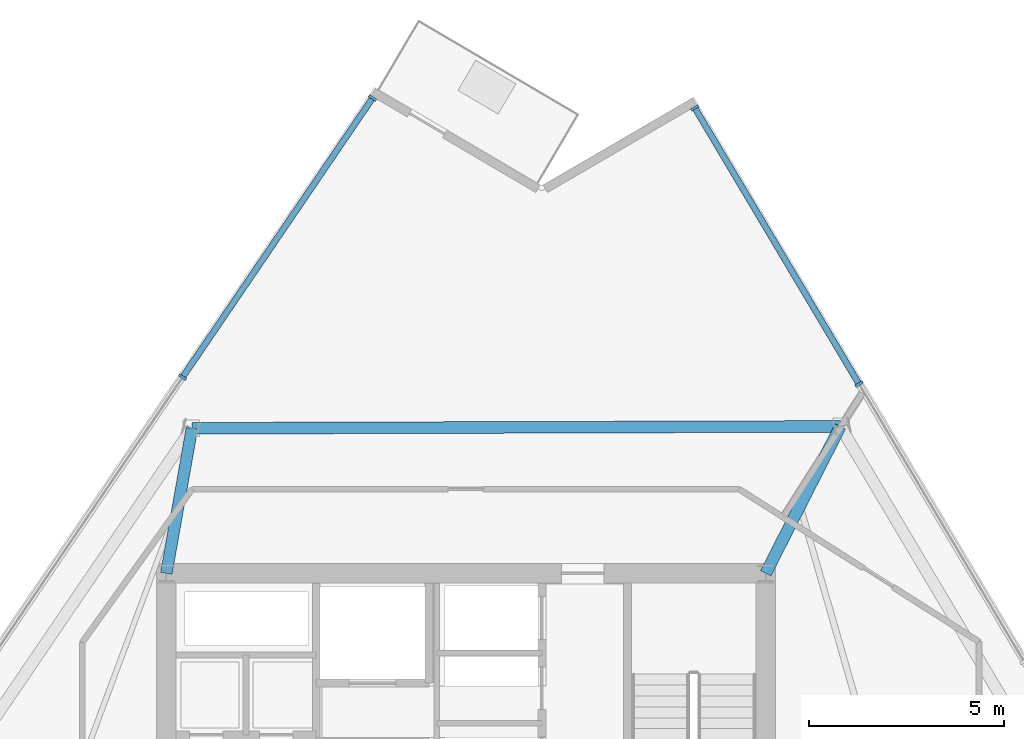
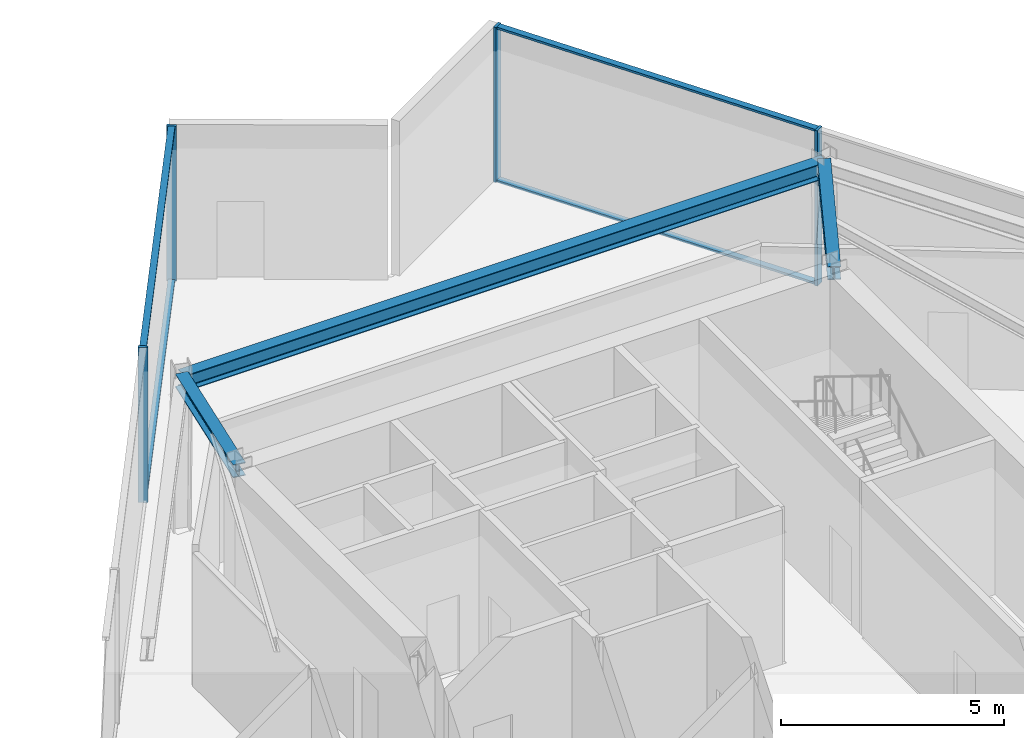
# One storey, part 5 of 14: 8 members, 3 beams, 2 elements without a shape of their own.
"""IFC4 building model written with IfcOpenShell, lengths in metres."""

from ifc_helpers import new_model, si_unit, direction, frame, origin, origin_2d, place, context, subcontext, project, spatial, rectangle, i_section, extrude, material, material_profile, profile_set, type_object, element, aggregate, save


model = new_model("IFC4")

# Units and contexts
model_context = context("Model", 3, precision=1e-05, world=origin(), true_north=direction((0.0, 1.0)))
body_context = subcontext(model_context, "Body", "Model", "MODEL_VIEW")
ifc_project = project(units=[si_unit("LENGTHUNIT", "METRE"), si_unit("AREAUNIT", "SQUARE_METRE"), si_unit("VOLUMEUNIT", "CUBIC_METRE"), si_unit("PLANEANGLEUNIT", "RADIAN"), si_unit("MASSUNIT", "GRAM", prefix="KILO")], contexts=[model_context])

# Site, building, storey
site_placement = place(None, origin())
site = spatial("IfcSite", under=ifc_project, at=site_placement, CompositionType="ELEMENT")
building_placement = place(site_placement, origin())
building = spatial("IfcBuilding", under=site, at=building_placement, Name="Savorim Split Tower", CompositionType="ELEMENT")
storey_placement = place(building_placement, frame((0.0, 0.0, 134.10009765625)))
storey = spatial("IfcBuildingStorey", under=building, at=storey_placement, Name="L35", CompositionType="ELEMENT", Elevation=134.10009765625)

# Beams
ifc_material_1 = material(Name="Steel S355", Category="steel")
ifc_material_profile_1 = material_profile(ifc_material_1, i_section(OverallWidth=0.300048828125, OverallDepth=0.360107421875, WebThickness=0.012451171875, FlangeThickness=0.0224609375, FilletRadius=0.027099609375, at=origin_2d()), Name="HEB 360")
ifc_profile_set_1 = profile_set([ifc_material_profile_1], Name="Steel S355")
beam_type_1 = type_object("IfcBeamType", Name="BM-PRI-HEB360", PredefinedType="BEAM", material=ifc_profile_set_1)
beam_1_placement = place(storey_placement, frame((9.6181640625, 13.975830078125, 4.06982421875), z_axis=(-0.452922916926, -0.891549679672, 0.0), x_axis=(0.891549679672, -0.452922916926, 0.0)))
element("IfcBeam", 1, at=beam_1_placement, inside=storey, type_object=beam_type_1, Name="L35 Primary Floor Girder RG-07", PredefinedType="BEAM", context=body_context, shape_type="SweptSolid", body=[
    extrude(i_section(OverallWidth=0.300048828125, OverallDepth=0.360107421875, WebThickness=0.012451171875, FlangeThickness=0.0224609375, FilletRadius=0.027099609375, at=origin_2d()), origin(), (0.0, 0.0, 1.0), 4.235107421875),
])
beam_2_placement = place(storey_placement, frame((-7.041748046875, 13.927001953125, 4.06982421875), z_axis=(-0.173910449807, -0.984761471346, 0.0), x_axis=(0.984761471346, -0.173910449807, 0.0)))
element("IfcBeam", 2, at=beam_2_placement, inside=storey, type_object=beam_type_1, Name="L35 Primary Floor Girder RG-08", PredefinedType="BEAM", context=body_context, shape_type="SweptSolid", body=[
    extrude(i_section(OverallWidth=0.300048828125, OverallDepth=0.360107421875, WebThickness=0.012451171875, FlangeThickness=0.0224609375, FilletRadius=0.027099609375, at=origin_2d()), origin(), (0.0, 0.0, 1.0), 3.78466796875),
])
ifc_material_profile_2 = material_profile(ifc_material_1, i_section(OverallWidth=0.300048828125, OverallDepth=0.43994140625, WebThickness=0.011474609375, FlangeThickness=0.02099609375, FilletRadius=0.027099609375, at=origin_2d()), Name="HEA 450")
ifc_profile_set_2 = profile_set([ifc_material_profile_2], Name="Steel S355")
beam_type_2 = type_object("IfcBeamType", Name="BM-SPN-HEA450", PredefinedType="SPANDREL", material=ifc_profile_set_2)
beam_3_placement = place(storey_placement, frame((9.6181640625, 13.975830078125, 4.02978515625), z_axis=(-0.999995705013, -0.002930862718, 0.0), x_axis=(0.002930862718, -0.999995705013, 0.0)))
element("IfcBeam", 3, at=beam_3_placement, inside=storey, type_object=beam_type_2, Name="L35 Perimeter Spandrel Beam 7", PredefinedType="SPANDREL", context=body_context, shape_type="SweptSolid", body=[
    extrude(i_section(OverallWidth=0.300048828125, OverallDepth=0.43994140625, WebThickness=0.011474609375, FlangeThickness=0.02099609375, FilletRadius=0.027099609375, at=origin_2d()), origin(), (0.0, 0.0, 1.0), 16.659912109375),
])

# Curtain wall, members
ifc_material_2 = material(Name="Dark Ceramic-Fritted Insulated Glass", Category="glass")
curtain_wall_type = type_object("IfcCurtainWallType", Name="CW-SKY-ATRIUM", PredefinedType="NOTDEFINED", material=ifc_material_2)
curtain_wall_1_placement = place(storey_placement, origin())
curtain_wall_1 = element("IfcCurtainWall", 4, at=curtain_wall_1_placement, inside=storey, type_object=curtain_wall_type, Name="L35 Curtain Wall CW-L35-EAST", PredefinedType="NOTDEFINED")
ifc_material_3 = material(Name="Charcoal Anodised Aluminium", Category="aluminium")
ifc_material_profile_3 = material_profile(ifc_material_3, rectangle(XDim=0.219970703125, YDim=0.070068359375, at=origin_2d()), Name="ALU-M 220x70")
ifc_profile_set_3 = profile_set([ifc_material_profile_3], Name="Charcoal Anodised Aluminium")
member_type_1 = type_object("IfcMemberType", Name="CWM-220x70", PredefinedType="MULLION", material=ifc_profile_set_3)
member_1_placement = place(storey_placement, frame((10.09912109375, 15.064208984375, 0.0), z_axis=(0.0, 0.0, 1.0), x_axis=(-0.859526723197, -0.51109080613, 0.0)))
member_1 = element("IfcMember", 5, at=member_1_placement, type_object=member_type_1, Name="CW-05 mullion 5", PredefinedType="MULLION", context=body_context, shape_type="SweptSolid", body=[
    extrude(rectangle(XDim=0.219970703125, YDim=0.070068359375, at=origin_2d()), origin(), (0.0, 0.0, 1.0), 4.25),
])
member_2_placement = place(storey_placement, frame((5.879638671875, 22.160400390625, 0.0), z_axis=(0.0, 0.0, 1.0), x_axis=(-0.859526723197, -0.51109080613, 0.0)))
member_2 = element("IfcMember", 6, at=member_2_placement, type_object=member_type_1, Name="CW-05 mullion 6", PredefinedType="MULLION", context=body_context, shape_type="SweptSolid", body=[
    extrude(rectangle(XDim=0.219970703125, YDim=0.070068359375, at=origin_2d()), origin(), (0.0, 0.0, 1.0), 4.25),
])

curtain_wall_2_placement = place(storey_placement, origin())
curtain_wall_2 = element("IfcCurtainWall", 7, at=curtain_wall_2_placement, inside=storey, type_object=curtain_wall_type, Name="L35 Curtain Wall CW-L35-WEST", PredefinedType="NOTDEFINED")
member_3_placement = place(storey_placement, frame((-2.40234375, 22.41259765625, 0.0), z_axis=(0.0, 0.0, 1.0), x_axis=(0.826819743155, -0.562466987768, 0.0)))
member_3 = element("IfcMember", 8, at=member_3_placement, type_object=member_type_1, Name="CW-05 mullion 1", PredefinedType="MULLION", context=body_context, shape_type="SweptSolid", body=[
    extrude(rectangle(XDim=0.219970703125, YDim=0.070068359375, at=origin_2d()), origin(), (0.0, 0.0, 1.0), 4.25),
])
member_4_placement = place(storey_placement, frame((-7.281005859375, 15.240966796875, 0.0), z_axis=(0.0, 0.0, 1.0), x_axis=(0.826819743155, -0.562466987768, 0.0)))
member_4 = element("IfcMember", 9, at=member_4_placement, type_object=member_type_1, Name="CW-05 mullion 2", PredefinedType="MULLION", context=body_context, shape_type="SweptSolid", body=[
    extrude(rectangle(XDim=0.219970703125, YDim=0.070068359375, at=origin_2d()), origin(), (0.0, 0.0, 1.0), 4.25),
])

# Member
ifc_material_profile_4 = material_profile(ifc_material_3, rectangle(XDim=0.159912109375, YDim=0.06005859375, at=origin_2d()), Name="ALU-T 160x60")
ifc_profile_set_4 = profile_set([ifc_material_profile_4], Name="Charcoal Anodised Aluminium")
member_type_2 = type_object("IfcMemberType", Name="CWT-160x60", PredefinedType="USERDEFINED", material=ifc_profile_set_4)
member_5_placement = place(storey_placement, frame((10.081298828125, 15.09423828125, 0.02978515625), z_axis=(-0.511092662647, 0.859525619274, 0.0), x_axis=(-0.859525619274, -0.511092662647, 0.0)))
member_5 = element("IfcMember", 10, at=member_5_placement, type_object=member_type_2, Name="CW-05 transom 5.1", ObjectType="TRANSOM", PredefinedType="USERDEFINED", context=body_context, shape_type="SweptSolid", body=[
    extrude(rectangle(XDim=0.159912109375, YDim=0.06005859375, at=origin_2d()), origin(), (0.0, 0.0, 1.0), 8.18603515625),
])

member_6_placement = place(storey_placement, frame((10.081298828125, 15.09423828125, 4.219970703125), z_axis=(-0.511092662647, 0.859525619274, 0.0), x_axis=(-0.859525619274, -0.511092662647, 0.0)))
member_6 = element("IfcMember", 11, at=member_6_placement, type_object=member_type_2, Name="CW-05 transom 5.2", ObjectType="TRANSOM", PredefinedType="USERDEFINED", context=body_context, shape_type="SweptSolid", body=[
    extrude(rectangle(XDim=0.159912109375, YDim=0.06005859375, at=origin_2d()), origin(), (0.0, 0.0, 1.0), 8.18603515625),
])

aggregate(curtain_wall_1, [member_1, member_2, member_5, member_6])

member_7_placement = place(storey_placement, frame((-2.421875, 22.3837890625, 0.02978515625), z_axis=(-0.562468345249, -0.826818819689, 0.0), x_axis=(0.826818819689, -0.562468345249, 0.0)))
member_7 = element("IfcMember", 12, at=member_7_placement, type_object=member_type_2, Name="CW-05 transom 1.1", ObjectType="TRANSOM", PredefinedType="USERDEFINED", context=body_context, shape_type="SweptSolid", body=[
    extrude(rectangle(XDim=0.159912109375, YDim=0.06005859375, at=origin_2d()), origin(), (0.0, 0.0, 1.0), 8.603759765625),
])

member_8_placement = place(storey_placement, frame((-2.421875, 22.3837890625, 4.219970703125), z_axis=(-0.562468345249, -0.826818819689, 0.0), x_axis=(0.826818819689, -0.562468345249, 0.0)))
member_8 = element("IfcMember", 13, at=member_8_placement, type_object=member_type_2, Name="CW-05 transom 1.2", ObjectType="TRANSOM", PredefinedType="USERDEFINED", context=body_context, shape_type="SweptSolid", body=[
    extrude(rectangle(XDim=0.159912109375, YDim=0.06005859375, at=origin_2d()), origin(), (0.0, 0.0, 1.0), 8.603759765625),
])

aggregate(curtain_wall_2, [member_3, member_4, member_7, member_8])

save(model, "model.ifc")
